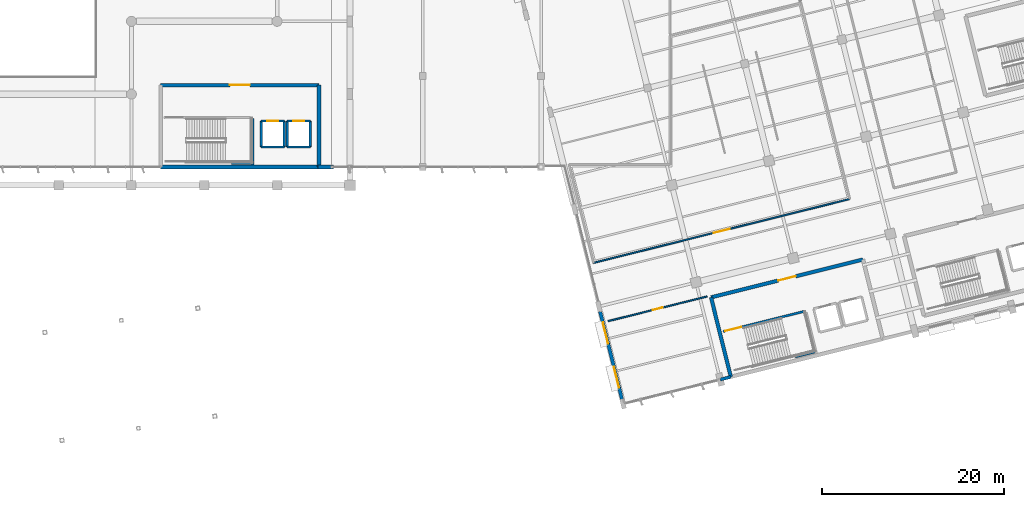
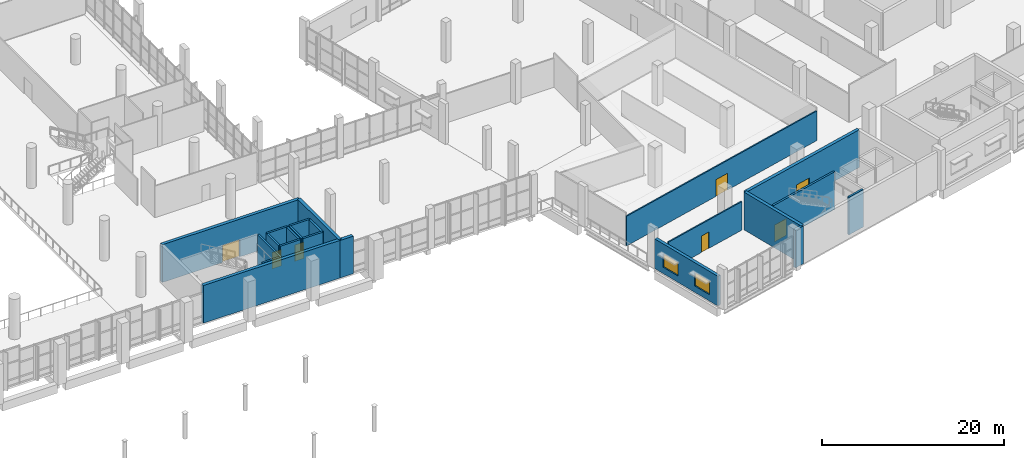
# One storey, part 142 of 176: 22 walls, 7 doors, 2 windows, 9 openings.
"""IFC4 building model written with IfcOpenShell, lengths in metres."""

import ifcopenshell
import ifcopenshell.guid

model = None  # the IFC model being written
_history = None  # IfcOwnerHistory: only IFC2X3 demands one
_inside = {}  # id of a spatial element -> (the spatial element, [elements in it])
_under = {}  # id of a project, library or spatial element -> (it, [spatial elements below it])
_declared = {}  # id of a project -> (the project, [libraries it declares])
_typed = {}  # id of a type object -> (the type object, [elements of that type])
_made_of = {}  # id of a material, layer set ... -> (it, [elements and type objects made of it])


def new_model(schema):
    """Start an empty IFC model of exactly this schema.

    Asked for "IFC4X3", IfcOpenShell would pick the latest addendum, in which some entities
    have other attributes; the version numbers below select the first issue.
    IFC2X3 requires an IfcOwnerHistory on every rooted entity: one is made here for all.
    """
    global model, _history
    if schema == "IFC4X3":
        model = ifcopenshell.file(schema_version=(4, 3, 0, 0))
    else:
        model = ifcopenshell.file(schema=schema)
    _inside.clear()
    _under.clear()
    _declared.clear()
    _typed.clear()
    _made_of.clear()
    _history = None
    if model.schema == "IFC2X3":
        org = make("IfcOrganization", Name="unknown")
        user = make(
            "IfcPersonAndOrganization",
            ThePerson=make("IfcPerson", FamilyName="unknown"),
            TheOrganization=org,
        )
        app = make(
            "IfcApplication",
            ApplicationDeveloper=org,
            Version="unknown",
            ApplicationFullName="unknown",
            ApplicationIdentifier="unknown",
        )
        _history = make(
            "IfcOwnerHistory",
            OwningUser=user,
            OwningApplication=app,
            ChangeAction="ADDED",
            CreationDate=0,
        )
    return model


def make(cls, **values):
    """One entity of the class cls with the attributes given. An attribute that is None is left unset."""
    return model.create_entity(
        cls, **{name: value for name, value in values.items() if value is not None}
    )


def rooted(cls, **values):
    """An entity with a GlobalId (a new one), such as an element, a storey or a relation."""
    return make(cls, GlobalId=ifcopenshell.guid.new(), OwnerHistory=_history, **values)


def si_unit(unit_type, name, prefix=None):
    """IfcSIUnit, for example si_unit("LENGTHUNIT", "METRE", prefix="MILLI")."""
    return make("IfcSIUnit", UnitType=unit_type, Prefix=prefix, Name=name)


def assignment(units):
    """IfcUnitAssignment: the units of a project."""
    return None if units is None else make("IfcUnitAssignment", Units=units)


def point(xyz):
    """IfcCartesianPoint."""
    return None if xyz is None else make("IfcCartesianPoint", Coordinates=xyz)


def direction(xyz):
    """IfcDirection."""
    return None if xyz is None else make("IfcDirection", DirectionRatios=xyz)


def frame(location, z_axis=None, x_axis=None):
    """IfcAxis2Placement3D, a coordinate frame: its origin and axes. An axis left out is left unset."""
    return make(
        "IfcAxis2Placement3D",
        Location=point(location),
        Axis=direction(z_axis),
        RefDirection=direction(x_axis),
    )


def frame_2d(location, x_axis=None):
    """IfcAxis2Placement2D, a coordinate frame in the plane: its origin and x axis."""
    return make(
        "IfcAxis2Placement2D", Location=point(location), RefDirection=direction(x_axis)
    )


def origin():
    """The frame at (0, 0, 0) with its axes left unset."""
    return frame((0.0, 0.0, 0.0))


def place(relative_to, where):
    """IfcLocalPlacement: puts the frame where relative to a parent placement (None: the world)."""
    return make(
        "IfcLocalPlacement", PlacementRelTo=relative_to, RelativePlacement=where
    )


def context(
    kind, dimensions, precision=None, world=None, true_north=None, identifier=None
):
    """IfcGeometricRepresentationContext, for example the 3D "Model" context."""
    return make(
        "IfcGeometricRepresentationContext",
        ContextIdentifier=identifier,
        ContextType=kind,
        CoordinateSpaceDimension=dimensions,
        Precision=precision,
        WorldCoordinateSystem=world,
        TrueNorth=true_north,
    )


def subcontext(parent, identifier, kind, view, scale=None):
    """IfcGeometricRepresentationSubContext, for example "Body" below "Model"."""
    return make(
        "IfcGeometricRepresentationSubContext",
        ContextIdentifier=identifier,
        ContextType=kind,
        ParentContext=parent,
        TargetScale=scale,
        TargetView=view,
    )


def project(units=None, contexts=None):
    """IfcProject with its units and contexts."""
    return rooted(
        "IfcProject",
        Name="project",
        RepresentationContexts=contexts,
        UnitsInContext=assignment(units),
    )


def spatial(cls, under=None, at=None, **own):
    """A site, building, storey or space (cls), placed at a placement, below another one or the project."""
    s = rooted(cls, ObjectPlacement=at, **own)
    if under is not None:
        _under.setdefault(under.id(), (under, []))[1].append(s)
    return s


def profile(cls, at=None, kind="AREA", **sizes):
    """A parametric profile (cls). Its sizes go by their IFC names, for example OverallWidth=200.0."""
    return make(cls, ProfileType=kind, Position=at, **sizes)


def rectangle(**sizes):
    """IfcRectangleProfileDef."""
    return profile("IfcRectangleProfileDef", **sizes)


def extrude(swept, where, along, depth):
    """IfcExtrudedAreaSolid: the profile swept, set in the frame where, extruded along a direction by depth."""
    return make(
        "IfcExtrudedAreaSolid",
        SweptArea=swept,
        Position=where,
        ExtrudedDirection=direction(along),
        Depth=depth,
    )


def shape(context_of_items, identifier, shape_type, items):
    """IfcShapeRepresentation: the items that make up one representation, for example the "Body"."""
    return make(
        "IfcShapeRepresentation",
        ContextOfItems=context_of_items,
        RepresentationIdentifier=identifier,
        RepresentationType=shape_type,
        Items=items,
    )


def material(Name=None, Category=None):
    """IfcMaterial."""
    return make("IfcMaterial", Name=Name, Category=Category)


def layer(
    of_material, thickness, ventilated=None, Name=None, Category=None, Priority=None
):
    """IfcMaterialLayer: one layer of a wall or slab, of a material (None: an air gap)."""
    return make(
        "IfcMaterialLayer",
        Material=of_material,
        LayerThickness=thickness,
        IsVentilated=ventilated,
        Name=Name,
        Category=Category,
        Priority=Priority,
    )


def layer_set(layers, Name=None):
    """IfcMaterialLayerSet."""
    return make("IfcMaterialLayerSet", MaterialLayers=layers, LayerSetName=Name)


def made_of(thing, what):
    """Note that an element or type object is made of a material, layer set ...; save() writes the relation."""
    if what is not None:
        _made_of.setdefault(what.id(), (what, []))[1].append(thing)
    return thing


def type_object(cls, material=None, **own):
    """A type object (cls), such as IfcWallType, which elements share."""
    return made_of(rooted(cls, **own), material)


def element(
    cls,
    number,
    at=None,
    inside=None,
    cuts=None,
    type_object=None,
    material=None,
    context=None,
    identifier="Body",
    shape_type=None,
    held_by="IfcProductDefinitionShape",
    body=None,
    shapes=None,
    **own,
):
    """One element of the class cls, such as IfcWall. Its Tag is "e" and its number.

    at: its placement. inside: the storey or other place that contains it. cuts: it is an
    opening in that element (IfcRelVoidsElement). A single representation is given by context,
    identifier, shape_type and body (its items); several are given by shapes. held_by: the class
    of the entity that holds the representations. save() writes the other relations.
    """
    e = rooted(cls, Tag="e%d" % number, ObjectPlacement=at, **own)
    if body is not None:
        shapes = [shape(context, identifier, shape_type, body)]
    if shapes is not None:
        e.Representation = make(held_by, Representations=shapes)
    if inside is not None:
        _inside.setdefault(inside.id(), (inside, []))[1].append(e)
    if cuts is not None:
        rooted(
            "IfcRelVoidsElement", RelatingBuildingElement=cuts, RelatedOpeningElement=e
        )
    if type_object is not None:
        _typed.setdefault(type_object.id(), (type_object, []))[1].append(e)
    return made_of(e, material)


def fill(opening, filler):
    """IfcRelFillsElement: the door or window that sits in an opening."""
    return rooted(
        "IfcRelFillsElement",
        RelatingOpeningElement=opening,
        RelatedBuildingElement=filler,
    )


def aggregate(whole, parts):
    """IfcRelAggregates: a whole, such as a stair, and the parts it consists of."""
    return rooted("IfcRelAggregates", RelatingObject=whole, RelatedObjects=parts)


def save(model, path):
    """Write the relations noted so far, then the file.

    IfcRelAggregates (storeys below a building ...), IfcRelContainedInSpatialStructure (elements
    in a storey), IfcRelDefinesByType, IfcRelAssociatesMaterial and IfcRelDeclares: one each for
    every whole, place, type object, material and project.
    """
    for whole, parts in _under.values():
        aggregate(whole, parts)
    for where, things in _inside.values():
        rooted(
            "IfcRelContainedInSpatialStructure",
            RelatedElements=things,
            RelatingStructure=where,
        )
    for kind, things in _typed.values():
        rooted("IfcRelDefinesByType", RelatedObjects=things, RelatingType=kind)
    for what, things in _made_of.values():
        rooted("IfcRelAssociatesMaterial", RelatedObjects=things, RelatingMaterial=what)
    for by, libraries in _declared.values():
        rooted("IfcRelDeclares", RelatingContext=by, RelatedDefinitions=libraries)
    model.write(path)


model = new_model("IFC4")

# Units and contexts
model_context = context("Model", 3, precision=1e-05, world=origin(), true_north=direction((0.0, 1.0)))
body_context = subcontext(model_context, "Body", "Model", "MODEL_VIEW")
ifc_project = project(units=[si_unit("LENGTHUNIT", "METRE"), si_unit("AREAUNIT", "SQUARE_METRE"), si_unit("VOLUMEUNIT", "CUBIC_METRE"), si_unit("PLANEANGLEUNIT", "RADIAN"), si_unit("MASSUNIT", "GRAM", prefix="KILO")], contexts=[model_context])

# Site, building, storey
site_placement = place(None, origin())
site = spatial("IfcSite", under=ifc_project, at=site_placement, CompositionType="ELEMENT")
building_placement = place(site_placement, origin())
building = spatial("IfcBuilding", under=site, at=building_placement, Name="Khorjan Park Terminus", CompositionType="ELEMENT")
storey_placement = place(building_placement, frame((0.0, 0.0, 6.0)))
storey = spatial("IfcBuildingStorey", under=building, at=storey_placement, Name="L01", CompositionType="ELEMENT", Elevation=6.0)

# Walls
ifc_material_1 = material(Name="Concrete C50/60", Category="concrete")
ifc_layer_1 = layer(ifc_material_1, 0.4)
ifc_layer_set_1 = layer_set([ifc_layer_1], Name="Concrete C50/60")
wall_type_1 = type_object("IfcWallType", Name="CW-40", PredefinedType="SHEAR", material=ifc_layer_set_1)
wall_1_placement = place(storey_placement, frame((115.2, 28.0, 0.0), z_axis=(0.0, 0.0, 1.0), x_axis=(1.0, 0.0, 0.0)))
element("IfcWall", 1, at=wall_1_placement, inside=storey, type_object=wall_type_1, Name="East Concourse Core concrete shear wall CW-40 (L01-E1)", PredefinedType="SHEAR", context=body_context, shape_type="SweptSolid", body=[
    extrude(rectangle(XDim=17.4, YDim=0.4, at=frame_2d((8.7, 0.0))), origin(), (0.0, 0.0, 1.0), 5.05),
])
wall_2_placement = place(storey_placement, frame((132.6, 28.0, 0.0), z_axis=(0.0, 0.0, 1.0), x_axis=(0.0, 1.0, 0.0)))
element("IfcWall", 2, at=wall_2_placement, inside=storey, type_object=wall_type_1, Name="East Concourse Core concrete shear wall CW-40 (L01-E2)", PredefinedType="SHEAR", context=body_context, shape_type="SweptSolid", body=[
    extrude(rectangle(XDim=9.0, YDim=0.4, at=frame_2d((4.5, 0.0))), origin(), (0.0, 0.0, 1.0), 5.05),
])

# Wall, opening, door
wall_3_placement = place(storey_placement, frame((132.6, 37.0, 0.0), z_axis=(0.0, 0.0, 1.0), x_axis=(-1.0, 0.0, 0.0)))
wall_3 = element("IfcWall", 3, at=wall_3_placement, inside=storey, type_object=wall_type_1, Name="East Concourse Core concrete shear wall CW-40 (L01-E3)", PredefinedType="SHEAR", context=body_context, shape_type="SweptSolid", body=[
    extrude(rectangle(XDim=17.4, YDim=0.4, at=frame_2d((8.7, 0.0))), origin(), (0.0, 0.0, 1.0), 5.05),
])
opening_1_placement = place(wall_3_placement, frame((7.6, 0.0, 0.0)))
opening_1 = element("IfcOpeningElement", 4, at=opening_1_placement, cuts=wall_3, Name="Opening FD-22", PredefinedType="OPENING", context=body_context, shape_type="SweptSolid", body=[
    extrude(rectangle(XDim=2.2, YDim=2.3, at=frame_2d((1.1, 1.15))), frame((0.0, 0.21, 0.0), z_axis=(0.0, -1.0, 0.0), x_axis=(1.0, 0.0, 0.0)), (0.0, 0.0, 1.0), 0.42),
])
ifc_material_2 = material(Name="Fire-Rated Steel Double Door", Category="steel")
door_type_1 = type_object("IfcDoorType", Name="FD-22", OperationType="NOTDEFINED", PredefinedType="DOOR", material=ifc_material_2)
door_1_placement = place(opening_1_placement, origin())
door_1 = element("IfcDoor", 5, at=door_1_placement, inside=storey, type_object=door_type_1, Name="East Concourse Core fire-rated exit door FD-22 (L01)", OperationType="DOUBLE_DOOR_SINGLE_SWING", OverallHeight=2.3, OverallWidth=2.2, PredefinedType="DOOR", context=body_context, shape_type="SweptSolid", body=[
    extrude(rectangle(XDim=2.2, YDim=2.3, at=frame_2d((1.1, 1.15))), frame((0.0, 0.025, 0.0), z_axis=(0.0, -1.0, 0.0), x_axis=(1.0, 0.0, 0.0)), (0.0, 0.0, 1.0), 0.05),
])
fill(opening_1, door_1)

wall_4_placement = place(storey_placement, frame((192.3494, 17.8451, 0.0), z_axis=(0.0, 0.0, 1.0), x_axis=(-0.970296544738, -0.241918612906, 0.0)))
wall_4 = element("IfcWall", 6, at=wall_4_placement, inside=storey, type_object=wall_type_1, Name="Operations West Firefighting Core concrete shear wall CW-40 (L01-E3)", PredefinedType="SHEAR", context=body_context, shape_type="SweptSolid", body=[
    extrude(rectangle(XDim=17.2, YDim=0.4, at=frame_2d((8.6, 0.0))), origin(), (0.0, 0.0, 1.0), 5.05),
])
opening_2_placement = place(wall_4_placement, frame((7.6, 0.0, 0.0)))
opening_2 = element("IfcOpeningElement", 7, at=opening_2_placement, cuts=wall_4, Name="Opening FD-20", PredefinedType="OPENING", context=body_context, shape_type="SweptSolid", body=[
    extrude(rectangle(XDim=2.0, YDim=2.3, at=frame_2d((1.0, 1.15))), frame((0.0, 0.21, 0.0), z_axis=(0.0, -1.0, 0.0), x_axis=(1.0, 0.0, 0.0)), (0.0, 0.0, 1.0), 0.42),
])
door_type_2 = type_object("IfcDoorType", Name="FD-20", OperationType="NOTDEFINED", PredefinedType="DOOR", material=ifc_material_2)
door_2_placement = place(opening_2_placement, origin())
door_2 = element("IfcDoor", 8, at=door_2_placement, inside=storey, type_object=door_type_2, Name="Operations West Firefighting Core fire-rated exit door FD-20 (L01)", OperationType="DOUBLE_DOOR_SINGLE_SWING", OverallHeight=2.3, OverallWidth=2.0, PredefinedType="DOOR", context=body_context, shape_type="SweptSolid", body=[
    extrude(rectangle(XDim=2.0, YDim=2.3, at=frame_2d((1.0, 1.15))), frame((0.0, 0.025, 0.0), z_axis=(0.0, -1.0, 0.0), x_axis=(1.0, 0.0, 0.0)), (0.0, 0.0, 1.0), 0.05),
])
fill(opening_2, door_2)

# Walls
wall_5_placement = place(storey_placement, frame((175.6603, 13.6841, 0.0), z_axis=(0.0, 0.0, 1.0), x_axis=(0.241921199913, -0.97029589973, 0.0)))
element("IfcWall", 9, at=wall_5_placement, inside=storey, type_object=wall_type_1, Name="Operations West Firefighting Core concrete shear wall CW-40 (L01-E4)", PredefinedType="SHEAR", context=body_context, shape_type="SweptSolid", body=[
    extrude(rectangle(XDim=9.0, YDim=0.4, at=frame_2d((4.5, 0.0))), origin(), (0.0, 0.0, 1.0), 5.05),
])
ifc_material_3 = material(Name="Pigmented Precast GRC & Concrete C40/50", Category="concrete")
ifc_layer_2 = layer(ifc_material_3, 0.35)
ifc_layer_set_2 = layer_set([ifc_layer_2], Name="Pigmented Precast GRC & Concrete C40/50")
wall_type_2 = type_object("IfcWallType", Name="EW-35", PredefinedType="STANDARD", material=ifc_layer_set_2)
wall_6_placement = place(storey_placement, frame((176.6733, 4.6611, 0.0), z_axis=(0.0, 0.0, 1.0), x_axis=(0.970294277425, 0.24192770655, 0.0)))
element("IfcWall", 10, at=wall_6_placement, inside=storey, type_object=wall_type_2, Name="External pigmented-GRC core infill wall EW-35 (EW-V5-K3P-L01-1)", PredefinedType="STANDARD", context=body_context, shape_type="SweptSolid", body=[
    extrude(rectangle(XDim=1.1999, YDim=0.35, at=frame_2d((0.5999, 0.0))), origin(), (0.0, 0.0, 1.0), 5.035),
])

# Wall, openings, windows
ifc_layer_3 = layer(ifc_material_3, 0.38)
ifc_layer_set_3 = layer_set([ifc_layer_3], Name="Pigmented Precast GRC & Concrete C40/50")
wall_type_3 = type_object("IfcWallType", Name="EW-38", PredefinedType="STANDARD", material=ifc_layer_set_3)
wall_7_placement = place(storey_placement, frame((163.4636, 12.1733, 0.0), z_axis=(0.0, 0.0, 1.0), x_axis=(0.241912511909, -0.970298065845, 0.0)))
wall_7 = element("IfcWall", 11, at=wall_7_placement, inside=storey, type_object=wall_type_3, Name="External pigmented-GRC insulated wall EW-38 (EW-V5-W-L01-B06)", PredefinedType="STANDARD", context=body_context, shape_type="SweptSolid", body=[
    extrude(rectangle(XDim=9.9697, YDim=0.38, at=frame_2d((4.9848, 0.0))), origin(), (0.0, 0.0, 1.0), 3.975),
])
opening_3_placement = place(wall_7_placement, frame((1.2924, 0.0, 0.85)))
opening_3 = element("IfcOpeningElement", 12, at=opening_3_placement, cuts=wall_7, Name="Opening WN-24", PredefinedType="OPENING", context=body_context, shape_type="SweptSolid", body=[
    extrude(rectangle(XDim=2.4, YDim=1.8, at=frame_2d((1.2, 0.9))), frame((0.0, 0.2, 0.0), z_axis=(0.0, -1.0, 0.0), x_axis=(1.0, 0.0, 0.0)), (0.0, 0.0, 1.0), 0.4),
])
opening_4_placement = place(wall_7_placement, frame((6.2773, 0.0, 0.85)))
opening_4 = element("IfcOpeningElement", 13, at=opening_4_placement, cuts=wall_7, Name="Opening WN-24", PredefinedType="OPENING", context=body_context, shape_type="SweptSolid", body=[
    extrude(rectangle(XDim=2.4, YDim=1.8, at=frame_2d((1.2, 0.9))), frame((0.0, 0.2, 0.0), z_axis=(0.0, -1.0, 0.0), x_axis=(1.0, 0.0, 0.0)), (0.0, 0.0, 1.0), 0.4),
])
ifc_material_4 = material(Name="Anodized Bronze Aluminium & Low-E Glass", Category="aluminium")
window_type = type_object("IfcWindowType", Name="WN-24", PartitioningType="SINGLE_PANEL", PredefinedType="WINDOW", material=ifc_material_4)
window_1_placement = place(opening_3_placement, origin())
window_1 = element("IfcWindow", 14, at=window_1_placement, inside=storey, type_object=window_type, Name="Solar-control exterior window WN-24 (WN-EW-V5-W-L01-B06-1)", OverallHeight=1.8, OverallWidth=2.4, PartitioningType="SINGLE_PANEL", PredefinedType="WINDOW", context=body_context, shape_type="SweptSolid", body=[
    extrude(rectangle(XDim=2.4, YDim=1.8, at=frame_2d((1.2, 0.9))), frame((0.0, 0.03, 0.0), z_axis=(0.0, -1.0, 0.0), x_axis=(1.0, 0.0, 0.0)), (0.0, 0.0, 1.0), 0.06),
])
fill(opening_3, window_1)
window_2_placement = place(opening_4_placement, origin())
window_2 = element("IfcWindow", 15, at=window_2_placement, inside=storey, type_object=window_type, Name="Solar-control exterior window WN-24 (WN-EW-V5-W-L01-B06-2)", OverallHeight=1.8, OverallWidth=2.4, PartitioningType="SINGLE_PANEL", PredefinedType="WINDOW", context=body_context, shape_type="SweptSolid", body=[
    extrude(rectangle(XDim=2.4, YDim=1.8, at=frame_2d((1.2, 0.9))), frame((0.0, 0.03, 0.0), z_axis=(0.0, -1.0, 0.0), x_axis=(1.0, 0.0, 0.0)), (0.0, 0.0, 1.0), 0.06),
])
fill(opening_4, window_2)

# Wall
ifc_layer_4 = layer(ifc_material_3, 0.42)
ifc_layer_set_4 = layer_set([ifc_layer_4], Name="Pigmented Precast GRC & Concrete C40/50")
wall_type_4 = type_object("IfcWallType", Name="EW-42", PredefinedType="STANDARD", material=ifc_layer_set_4)
wall_8_placement = place(storey_placement, frame((132.5, 28.0, 0.0), z_axis=(0.0, 0.0, 1.0), x_axis=(1.0, 0.0, 0.0)))
element("IfcWall", 16, at=wall_8_placement, inside=storey, type_object=wall_type_4, Name="External pigmented-GRC pier wall EW-42 (L01-8)", PredefinedType="STANDARD", context=body_context, shape_type="SweptSolid", body=[
    extrude(rectangle(XDim=1.7, YDim=0.42, at=frame_2d((0.85, 0.0))), origin(), (0.0, 0.0, 1.0), 5.025),
])

# Wall, opening, door
ifc_material_5 = material(Name="Insulated Metal-Stud Acoustic Partition")
ifc_layer_5 = layer(ifc_material_5, 0.16)
ifc_layer_set_5 = layer_set([ifc_layer_5], Name="Insulated Metal-Stud Acoustic Partition")
wall_type_5 = type_object("IfcWallType", Name="PT-16", PredefinedType="PARTITIONING", material=ifc_layer_set_5)
wall_9_placement = place(storey_placement, frame((164.3565, 11.0719, 0.0), z_axis=(0.0, 0.0, 1.0), x_axis=(0.970296191666, 0.241920029015, 0.0)))
wall_9 = element("IfcWall", 17, at=wall_9_placement, inside=storey, type_object=wall_type_5, Name="Interior acoustic partition PT-16 (L01-CRW)", PredefinedType="PARTITIONING", context=body_context, shape_type="SweptSolid", body=[
    extrude(rectangle(XDim=11.2, YDim=0.16, at=frame_2d((5.6, 0.0))), origin(), (0.0, 0.0, 1.0), 3.825),
])
opening_5_placement = place(wall_9_placement, frame((5.05, 0.0, 0.0)))
opening_5 = element("IfcOpeningElement", 18, at=opening_5_placement, cuts=wall_9, Name="Opening ID-11", PredefinedType="OPENING", context=body_context, shape_type="SweptSolid", body=[
    extrude(rectangle(XDim=1.1, YDim=2.2, at=frame_2d((0.55, 1.1))), frame((0.0, 0.09, 0.0), z_axis=(0.0, -1.0, 0.0), x_axis=(1.0, 0.0, 0.0)), (0.0, 0.0, 1.0), 0.18),
])
ifc_material_6 = material(Name="Acoustic Hardwood Single Door", Category="wood")
door_type_3 = type_object("IfcDoorType", Name="ID-11", OperationType="NOTDEFINED", PredefinedType="DOOR", material=ifc_material_6)
door_3_placement = place(opening_5_placement, origin())
door_3 = element("IfcDoor", 19, at=door_3_placement, inside=storey, type_object=door_type_3, Name="Interior door ID-11 (L01-CRW)", OperationType="SINGLE_SWING_LEFT", OverallHeight=2.2, OverallWidth=1.1, PredefinedType="DOOR", context=body_context, shape_type="SweptSolid", body=[
    extrude(rectangle(XDim=1.1, YDim=2.2, at=frame_2d((0.55, 1.1))), frame((0.0, 0.025, 0.0), z_axis=(0.0, -1.0, 0.0), x_axis=(1.0, 0.0, 0.0)), (0.0, 0.0, 1.0), 0.05),
])
fill(opening_5, door_3)

wall_10_placement = place(storey_placement, frame((190.8984, 24.4916, 0.0), z_axis=(0.0, 0.0, 1.0), x_axis=(-0.97029524823, -0.241923812931, 0.0)))
wall_10 = element("IfcWall", 20, at=wall_10_placement, inside=storey, type_object=wall_type_5, Name="Interior acoustic partition PT-16 (L01-CNT)", PredefinedType="PARTITIONING", context=body_context, shape_type="SweptSolid", body=[
    extrude(rectangle(XDim=29.0, YDim=0.16, at=frame_2d((14.5, 0.0))), origin(), (0.0, 0.0, 1.0), 3.975),
])
opening_6_placement = place(wall_10_placement, frame((13.6, 0.0, 0.0)))
opening_6 = element("IfcOpeningElement", 21, at=opening_6_placement, cuts=wall_10, Name="Opening ID-18", PredefinedType="OPENING", context=body_context, shape_type="SweptSolid", body=[
    extrude(rectangle(XDim=1.8, YDim=2.25, at=frame_2d((0.9, 1.125))), frame((0.0, 0.09, 0.0), z_axis=(0.0, -1.0, 0.0), x_axis=(1.0, 0.0, 0.0)), (0.0, 0.0, 1.0), 0.18),
])
ifc_material_7 = material(Name="Acoustic Hardwood & Vision-Lite Double Door", Category="wood")
door_type_4 = type_object("IfcDoorType", Name="ID-18", OperationType="NOTDEFINED", PredefinedType="DOOR", material=ifc_material_7)
door_4_placement = place(opening_6_placement, origin())
door_4 = element("IfcDoor", 22, at=door_4_placement, inside=storey, type_object=door_type_4, Name="Interior door ID-18 (L01-CNT)", OperationType="DOUBLE_DOOR_SINGLE_SWING", OverallHeight=2.25, OverallWidth=1.8, PredefinedType="DOOR", context=body_context, shape_type="SweptSolid", body=[
    extrude(rectangle(XDim=1.8, YDim=2.25, at=frame_2d((0.9, 1.125))), frame((0.0, 0.025, 0.0), z_axis=(0.0, -1.0, 0.0), x_axis=(1.0, 0.0, 0.0)), (0.0, 0.0, 1.0), 0.05),
])
fill(opening_6, door_4)

# Walls
ifc_material_8 = material(Name="Concrete C40/50", Category="concrete")
ifc_layer_6 = layer(ifc_material_8, 0.25)
ifc_layer_set_6 = layer_set([ifc_layer_6], Name="Concrete C40/50")
wall_type_6 = type_object("IfcWallType", Name="SW-25", PredefinedType="SOLIDWALL", material=ifc_layer_set_6)
wall_11_placement = place(storey_placement, frame((126.25, 30.21, 0.0), z_axis=(0.0, 0.0, 1.0), x_axis=(1.0, 0.0, 0.0)))
element("IfcWall", 23, at=wall_11_placement, inside=storey, type_object=wall_type_6, Name="Lift L03 concrete shaft wall SW-25 (L01-1)", PredefinedType="SOLIDWALL", context=body_context, shape_type="SweptSolid", body=[
    extrude(rectangle(XDim=2.54, YDim=0.25, at=frame_2d((1.27, 0.0))), origin(), (0.0, 0.0, 1.0), 5.05),
])
wall_12_placement = place(storey_placement, frame((128.79, 30.21, 0.0), z_axis=(0.0, 0.0, 1.0), x_axis=(0.0, 1.0, 0.0)))
element("IfcWall", 24, at=wall_12_placement, inside=storey, type_object=wall_type_6, Name="Lift L03 concrete shaft wall SW-25 (L01-2)", PredefinedType="SOLIDWALL", context=body_context, shape_type="SweptSolid", body=[
    extrude(rectangle(XDim=2.84, YDim=0.25, at=frame_2d((1.42, 0.0))), origin(), (0.0, 0.0, 1.0), 5.05),
])

# Wall, opening, door
wall_13_placement = place(storey_placement, frame((128.79, 33.05, 0.0), z_axis=(0.0, 0.0, 1.0), x_axis=(-1.0, 0.0, 0.0)))
wall_13 = element("IfcWall", 25, at=wall_13_placement, inside=storey, type_object=wall_type_6, Name="Lift L03 concrete shaft wall SW-25 (L01-3)", PredefinedType="SOLIDWALL", context=body_context, shape_type="SweptSolid", body=[
    extrude(rectangle(XDim=2.54, YDim=0.25, at=frame_2d((1.27, 0.0))), origin(), (0.0, 0.0, 1.0), 5.05),
])
opening_7_placement = place(wall_13_placement, frame((0.67, 0.0, 0.0)))
opening_7 = element("IfcOpeningElement", 26, at=opening_7_placement, cuts=wall_13, Name="Opening LD-12", PredefinedType="OPENING", context=body_context, shape_type="SweptSolid", body=[
    extrude(rectangle(XDim=1.2, YDim=2.2, at=frame_2d((0.6, 1.1))), frame((0.0, 0.135, 0.0), z_axis=(0.0, -1.0, 0.0), x_axis=(1.0, 0.0, 0.0)), (0.0, 0.0, 1.0), 0.27),
])
ifc_material_9 = material(Name="Stainless-Steel Lift Landing Sliding Door", Category="steel")
door_type_5 = type_object("IfcDoorType", Name="LD-12", OperationType="NOTDEFINED", PredefinedType="DOOR", material=ifc_material_9)
door_5_placement = place(opening_7_placement, origin())
door_5 = element("IfcDoor", 27, at=door_5_placement, inside=storey, type_object=door_type_5, Name="Lift L03 sliding landing door LD-12 (L01)", OperationType="SLIDING_TO_LEFT", OverallHeight=2.2, OverallWidth=1.2, PredefinedType="DOOR", context=body_context, shape_type="SweptSolid", body=[
    extrude(rectangle(XDim=1.2, YDim=2.2, at=frame_2d((0.6, 1.1))), frame((0.0, 0.025, 0.0), z_axis=(0.0, -1.0, 0.0), x_axis=(1.0, 0.0, 0.0)), (0.0, 0.0, 1.0), 0.05),
])
fill(opening_7, door_5)

# Walls
wall_14_placement = place(storey_placement, frame((126.25, 33.05, 0.0), z_axis=(0.0, 0.0, 1.0), x_axis=(0.0, -1.0, 0.0)))
element("IfcWall", 28, at=wall_14_placement, inside=storey, type_object=wall_type_6, Name="Lift L03 concrete shaft wall SW-25 (L01-4)", PredefinedType="SOLIDWALL", context=body_context, shape_type="SweptSolid", body=[
    extrude(rectangle(XDim=2.84, YDim=0.25, at=frame_2d((1.42, 0.0))), origin(), (0.0, 0.0, 1.0), 5.05),
])
wall_15_placement = place(storey_placement, frame((129.11, 30.21, 0.0), z_axis=(0.0, 0.0, 1.0), x_axis=(1.0, 0.0, 0.0)))
element("IfcWall", 29, at=wall_15_placement, inside=storey, type_object=wall_type_6, Name="Lift L04 concrete shaft wall SW-25 (L01-1)", PredefinedType="SOLIDWALL", context=body_context, shape_type="SweptSolid", body=[
    extrude(rectangle(XDim=2.54, YDim=0.25, at=frame_2d((1.27, 0.0))), origin(), (0.0, 0.0, 1.0), 5.05),
])
wall_16_placement = place(storey_placement, frame((131.65, 30.21, 0.0), z_axis=(0.0, 0.0, 1.0), x_axis=(0.0, 1.0, 0.0)))
element("IfcWall", 30, at=wall_16_placement, inside=storey, type_object=wall_type_6, Name="Lift L04 concrete shaft wall SW-25 (L01-2)", PredefinedType="SOLIDWALL", context=body_context, shape_type="SweptSolid", body=[
    extrude(rectangle(XDim=2.84, YDim=0.25, at=frame_2d((1.42, 0.0))), origin(), (0.0, 0.0, 1.0), 5.05),
])

# Wall, opening, door
wall_17_placement = place(storey_placement, frame((131.65, 33.05, 0.0), z_axis=(0.0, 0.0, 1.0), x_axis=(-1.0, 0.0, 0.0)))
wall_17 = element("IfcWall", 31, at=wall_17_placement, inside=storey, type_object=wall_type_6, Name="Lift L04 concrete shaft wall SW-25 (L01-3)", PredefinedType="SOLIDWALL", context=body_context, shape_type="SweptSolid", body=[
    extrude(rectangle(XDim=2.54, YDim=0.25, at=frame_2d((1.27, 0.0))), origin(), (0.0, 0.0, 1.0), 5.05),
])
opening_8_placement = place(wall_17_placement, frame((0.67, 0.0, 0.0)))
opening_8 = element("IfcOpeningElement", 32, at=opening_8_placement, cuts=wall_17, Name="Opening LD-12", PredefinedType="OPENING", context=body_context, shape_type="SweptSolid", body=[
    extrude(rectangle(XDim=1.2, YDim=2.2, at=frame_2d((0.6, 1.1))), frame((0.0, 0.135, 0.0), z_axis=(0.0, -1.0, 0.0), x_axis=(1.0, 0.0, 0.0)), (0.0, 0.0, 1.0), 0.27),
])
door_6_placement = place(opening_8_placement, origin())
door_6 = element("IfcDoor", 33, at=door_6_placement, inside=storey, type_object=door_type_5, Name="Lift L04 sliding landing door LD-12 (L01)", OperationType="SLIDING_TO_RIGHT", OverallHeight=2.2, OverallWidth=1.2, PredefinedType="DOOR", context=body_context, shape_type="SweptSolid", body=[
    extrude(rectangle(XDim=1.2, YDim=2.2, at=frame_2d((0.6, 1.1))), frame((0.0, 0.025, 0.0), z_axis=(0.0, -1.0, 0.0), x_axis=(1.0, 0.0, 0.0)), (0.0, 0.0, 1.0), 0.05),
])
fill(opening_8, door_6)

# Walls
wall_18_placement = place(storey_placement, frame((129.11, 33.05, 0.0), z_axis=(0.0, 0.0, 1.0), x_axis=(0.0, -1.0, 0.0)))
element("IfcWall", 34, at=wall_18_placement, inside=storey, type_object=wall_type_6, Name="Lift L04 concrete shaft wall SW-25 (L01-4)", PredefinedType="SOLIDWALL", context=body_context, shape_type="SweptSolid", body=[
    extrude(rectangle(XDim=2.84, YDim=0.25, at=frame_2d((1.42, 0.0))), origin(), (0.0, 0.0, 1.0), 5.05),
])
wall_19_placement = place(storey_placement, frame((125.325, 28.2, 0.0), z_axis=(0.0, 0.0, 1.0), x_axis=(0.0, 1.0, 0.0)))
element("IfcWall", 35, at=wall_19_placement, inside=storey, type_object=wall_type_6, Name="East Concourse Core stairwell end bearing wall SW-25 (L01)", PredefinedType="SOLIDWALL", context=body_context, shape_type="SweptSolid", body=[
    extrude(rectangle(XDim=5.11, YDim=0.25, at=frame_2d((2.555, 0.0))), origin(), (0.0, 0.0, 1.0), 5.02),
])
wall_20_placement = place(storey_placement, frame((123.0, 28.425, 0.0), z_axis=(0.0, 0.0, 1.0), x_axis=(1.0, 0.0, 0.0)))
element("IfcWall", 36, at=wall_20_placement, inside=storey, type_object=wall_type_6, Name="East Concourse Core half-landing bearing wall SW-25 (L01)", PredefinedType="SOLIDWALL", context=body_context, shape_type="SweptSolid", body=[
    extrude(rectangle(XDim=2.2, YDim=0.25, at=frame_2d((1.1, 0.0))), origin(), (0.0, 0.0, 1.0), 5.02),
])

# Wall, opening, door
wall_21_placement = place(storey_placement, frame((176.9882, 9.9288, 0.0), z_axis=(0.0, 0.0, 1.0), x_axis=(0.970297151331, 0.241916179943, 0.0)))
wall_21 = element("IfcWall", 37, at=wall_21_placement, inside=storey, type_object=wall_type_6, Name="Operations West Firefighting Core structural stairwell wall SW-25 (L01)", PredefinedType="SOLIDWALL", context=body_context, shape_type="SweptSolid", body=[
    extrude(rectangle(XDim=9.345, YDim=0.25, at=frame_2d((4.6725, 0.0))), origin(), (0.0, 0.0, 1.0), 5.03),
])
opening_9_placement = place(wall_21_placement, frame((0.25, 0.0, 0.0)))
opening_9 = element("IfcOpeningElement", 38, at=opening_9_placement, cuts=wall_21, Name="Opening FD-18", PredefinedType="OPENING", context=body_context, shape_type="SweptSolid", body=[
    extrude(rectangle(XDim=1.8, YDim=2.25, at=frame_2d((0.9, 1.125))), frame((0.0, 0.135, 0.0), z_axis=(0.0, -1.0, 0.0), x_axis=(1.0, 0.0, 0.0)), (0.0, 0.0, 1.0), 0.27),
])
door_type_6 = type_object("IfcDoorType", Name="FD-18", OperationType="NOTDEFINED", PredefinedType="DOOR", material=ifc_material_2)
door_7_placement = place(opening_9_placement, origin())
door_7 = element("IfcDoor", 39, at=door_7_placement, inside=storey, type_object=door_type_6, Name="Operations West Firefighting Core stairwell fire door FD-18 (L01)", OperationType="DOUBLE_DOOR_SINGLE_SWING", OverallHeight=2.25, OverallWidth=1.8, PredefinedType="DOOR", context=body_context, shape_type="SweptSolid", body=[
    extrude(rectangle(XDim=1.8, YDim=2.25, at=frame_2d((0.9, 1.125))), frame((0.0, 0.025, 0.0), z_axis=(0.0, -1.0, 0.0), x_axis=(1.0, 0.0, 0.0)), (0.0, 0.0, 1.0), 0.05),
])
fill(opening_9, door_7)

# Wall
wall_22_placement = place(storey_placement, frame((184.915, 7.154, 0.0), z_axis=(0.0, 0.0, 1.0), x_axis=(0.97029738597, 0.241915238833, 0.0)))
element("IfcWall", 40, at=wall_22_placement, inside=storey, type_object=wall_type_6, Name="Operations West Firefighting Core half-landing bearing wall SW-25 (L01)", PredefinedType="SOLIDWALL", context=body_context, shape_type="SweptSolid", body=[
    extrude(rectangle(XDim=2.1999, YDim=0.25, at=frame_2d((1.0999, 0.0))), origin(), (0.0, 0.0, 1.0), 5.03),
])

save(model, "model.ifc")
